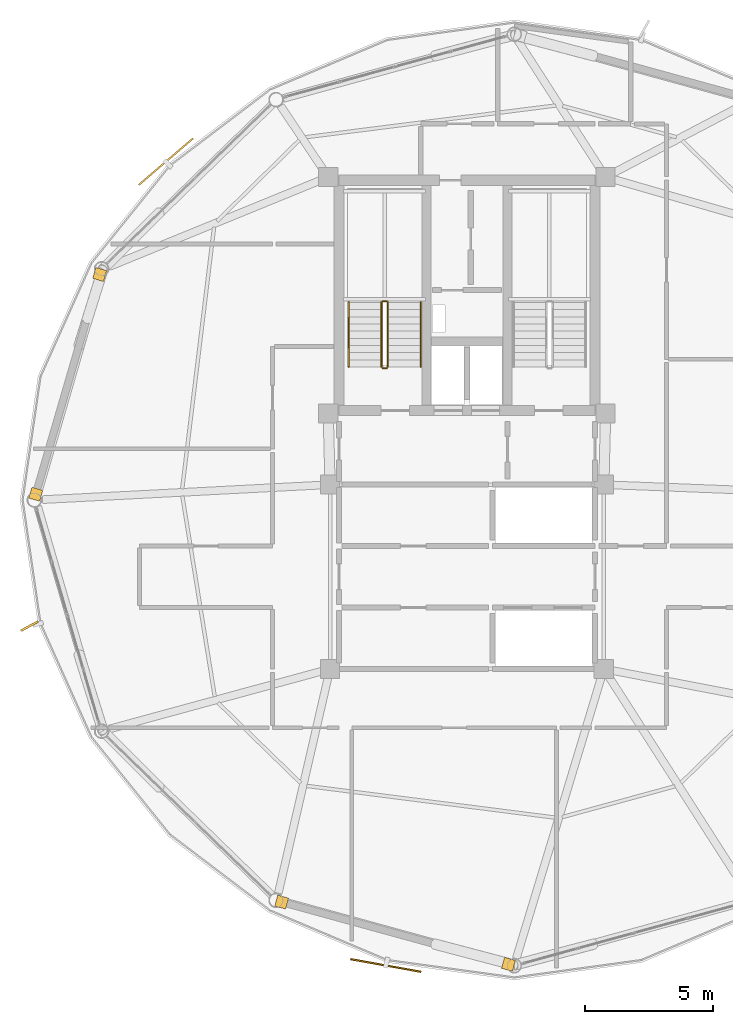
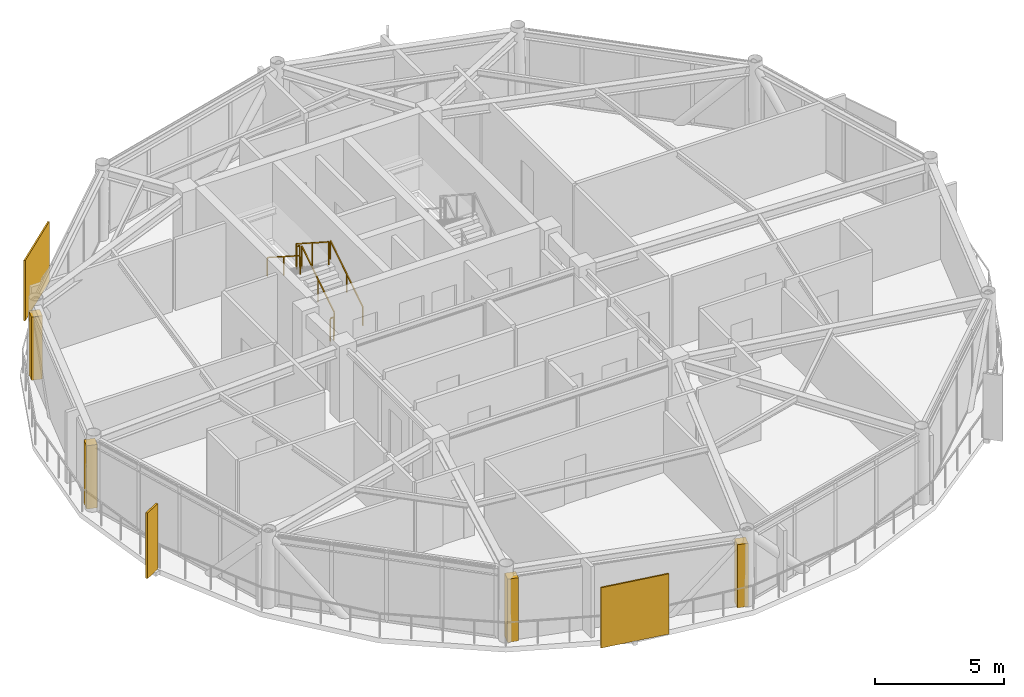
# One storey, part 25 of 27: 6 railings, 4 coverings, 3 shading devices.
"""IFC4 building model written with IfcOpenShell, lengths in metres."""

from ifc_helpers import new_model, si_unit, direction, frame, origin, origin_2d, place, context, subcontext, project, spatial, rectangle, extrude, source, transform, mapped, material, layer, layer_set, type_object, type_shapes, element, save


model = new_model("IFC4")

# Units and contexts
model_context = context("Model", 3, precision=1e-05, world=origin(), true_north=direction((0.0, 1.0)))
body_context = subcontext(model_context, "Body", "Model", "MODEL_VIEW")
ifc_project = project(units=[si_unit("LENGTHUNIT", "METRE"), si_unit("AREAUNIT", "SQUARE_METRE"), si_unit("VOLUMEUNIT", "CUBIC_METRE"), si_unit("PLANEANGLEUNIT", "RADIAN"), si_unit("MASSUNIT", "GRAM", prefix="KILO")], contexts=[model_context])

# Site, building, storey
site_placement = place(None, origin())
site = spatial("IfcSite", under=ifc_project, at=site_placement, CompositionType="ELEMENT")
building_placement = place(site_placement, origin())
building = spatial("IfcBuilding", under=site, at=building_placement, Name="Varnakorn Sky Granary", CompositionType="ELEMENT")
storey_placement = place(building_placement, frame((0.0, 0.0, 232.800048828125)))
storey = spatial("IfcBuildingStorey", under=building, at=storey_placement, Name="L59", CompositionType="ELEMENT", Elevation=232.800048828125)

# Railings
ifc_material_1 = material(Name="Brushed Stainless Steel 316", Category="steel")
railing_type_1 = type_object("IfcRailingType", Name="RL-STAIR-1100", PredefinedType="GUARDRAIL", material=ifc_material_1)
railing_1_placement = place(storey_placement, frame((-0.090087890625, 5.199951171875, 0.179931640625)))
element("IfcRailing", 1, at=railing_1_placement, inside=storey, type_object=railing_type_1, Name="L59 ST-1 stair guard 1", PredefinedType="GUARDRAIL", context=body_context, shape_type="SweptSolid", body=[
    extrude(rectangle(XDim=0.048095703125, YDim=0.048095703125, at=origin_2d()), frame((0.0, 0.0, 1.076171875), z_axis=(0.0, 0.841162588446, 0.540782303519), x_axis=(-1.0, 0.0, 0.0)), (0.0, 0.0, 1.0), 2.995849609375),
    extrude(rectangle(XDim=0.0419921875, YDim=0.0419921875, at=origin_2d()), origin(), (0.0, 0.0, 1.0), 1.048095703125),
    extrude(rectangle(XDim=0.0419921875, YDim=0.0419921875, at=origin_2d()), frame((0.0, 1.260009765625, 0.81005859375)), (0.0, 0.0, 1.0), 1.048095703125),
    extrude(rectangle(XDim=0.0419921875, YDim=0.0419921875, at=origin_2d()), frame((0.0, 2.52001953125, 1.6201171875)), (0.0, 0.0, 1.0), 1.048095703125),
])
railing_2_placement = place(storey_placement, frame((-0.139892578125, 7.77001953125, 1.800048828125)))
element("IfcRailing", 2, at=railing_2_placement, inside=storey, type_object=railing_type_1, Name="L59 ST-1 stair guard 2", PredefinedType="GUARDRAIL", context=body_context, shape_type="SweptSolid", body=[
    extrude(rectangle(XDim=0.048095703125, YDim=0.048095703125, at=origin_2d()), frame((0.0, 0.0, 1.076171875), z_axis=(-1.0, 0.0, 0.0), x_axis=(0.0, -1.0, 0.0)), (0.0, 0.0, 1.0), 0.150146484375),
    extrude(rectangle(XDim=0.0419921875, YDim=0.0419921875, at=origin_2d()), origin(), (0.0, 0.0, 1.0), 1.048095703125),
    extrude(rectangle(XDim=0.0419921875, YDim=0.0419921875, at=origin_2d()), frame((-0.150146484375, 0.0, 0.0)), (0.0, 0.0, 1.0), 1.048095703125),
])
railing_3_placement = place(storey_placement, frame((-0.340087890625, 7.719970703125, 1.97998046875)))
element("IfcRailing", 3, at=railing_3_placement, inside=storey, type_object=railing_type_1, Name="L59 ST-1 stair guard 3", PredefinedType="GUARDRAIL", context=body_context, shape_type="SweptSolid", body=[
    extrude(rectangle(XDim=0.048095703125, YDim=0.048095703125, at=origin_2d()), frame((0.0, 0.0, 1.076171875), z_axis=(0.0, -0.841199657755, 0.540724639528), x_axis=(1.0, 0.0, 0.0)), (0.0, 0.0, 1.0), 2.995849609375),
    extrude(rectangle(XDim=0.0419921875, YDim=0.0419921875, at=origin_2d()), origin(), (0.0, 0.0, 1.0), 1.048095703125),
    extrude(rectangle(XDim=0.0419921875, YDim=0.0419921875, at=origin_2d()), frame((0.0, -1.260009765625, 0.81005859375)), (0.0, 0.0, 1.0), 1.048095703125),
    extrude(rectangle(XDim=0.0419921875, YDim=0.0419921875, at=origin_2d()), frame((0.0, -2.52001953125, 1.619873046875)), (0.0, 0.0, 1.0), 1.048095703125),
])
railing_4_placement = place(storey_placement, frame((-0.139892578125, 5.14990234375, 0.0)))
element("IfcRailing", 4, at=railing_4_placement, inside=storey, type_object=railing_type_1, Name="L59 ST-1 stair guard 4", PredefinedType="GUARDRAIL", context=body_context, shape_type="SweptSolid", body=[
    extrude(rectangle(XDim=0.048095703125, YDim=0.048095703125, at=origin_2d()), frame((0.0, 0.0, 1.076171875), z_axis=(-1.0, 0.0, 0.0), x_axis=(0.0, -1.0, 0.0)), (0.0, 0.0, 1.0), 0.150146484375),
    extrude(rectangle(XDim=0.0419921875, YDim=0.0419921875, at=origin_2d()), origin(), (0.0, 0.0, 1.0), 1.048095703125),
    extrude(rectangle(XDim=0.0419921875, YDim=0.0419921875, at=origin_2d()), frame((-0.150146484375, 0.0, 0.0)), (0.0, 0.0, 1.0), 1.048095703125),
])
railing_type_2 = type_object("IfcRailingType", Name="RL-STAIR-920", PredefinedType="HANDRAIL", material=ifc_material_1)
railing_5_placement = place(storey_placement, frame((1.18994140625, 5.199951171875, 0.179931640625)))
element("IfcRailing", 5, at=railing_5_placement, inside=storey, type_object=railing_type_2, Name="L59 ST-1 stair handrail 1", PredefinedType="HANDRAIL", context=body_context, shape_type="SweptSolid", body=[
    extrude(rectangle(XDim=0.048095703125, YDim=0.048095703125, at=origin_2d()), frame((0.0, 0.0, 0.8759765625), z_axis=(0.0, 0.841162588446, 0.540782303519), x_axis=(-1.0, 0.0, 0.0)), (0.0, 0.0, 1.0), 2.995849609375),
    extrude(rectangle(XDim=0.0419921875, YDim=0.0419921875, at=origin_2d()), origin(), (0.0, 0.0, 1.0), 0.847900390625),
    extrude(rectangle(XDim=0.0419921875, YDim=0.0419921875, at=origin_2d()), frame((0.0, 1.260009765625, 0.81005859375)), (0.0, 0.0, 1.0), 0.847900390625),
    extrude(rectangle(XDim=0.0419921875, YDim=0.0419921875, at=origin_2d()), frame((0.0, 2.52001953125, 1.6201171875)), (0.0, 0.0, 1.0), 0.847900390625),
])
railing_6_placement = place(storey_placement, frame((-1.6201171875, 7.719970703125, 1.97998046875)))
element("IfcRailing", 6, at=railing_6_placement, inside=storey, type_object=railing_type_2, Name="L59 ST-1 stair handrail 2", PredefinedType="HANDRAIL", context=body_context, shape_type="SweptSolid", body=[
    extrude(rectangle(XDim=0.048095703125, YDim=0.048095703125, at=origin_2d()), frame((0.0, 0.0, 0.8759765625), z_axis=(0.0, -0.841199657755, 0.540724639528), x_axis=(1.0, 0.0, 0.0)), (0.0, 0.0, 1.0), 2.995849609375),
    extrude(rectangle(XDim=0.0419921875, YDim=0.0419921875, at=origin_2d()), origin(), (0.0, 0.0, 1.0), 0.847900390625),
    extrude(rectangle(XDim=0.0419921875, YDim=0.0419921875, at=origin_2d()), frame((0.0, -1.260009765625, 0.81005859375)), (0.0, 0.0, 1.0), 0.847900390625),
    extrude(rectangle(XDim=0.0419921875, YDim=0.0419921875, at=origin_2d()), frame((0.0, -2.52001953125, 1.619873046875)), (0.0, 0.0, 1.0), 0.847900390625),
])

# Coverings
ifc_material_2 = material(Name="Anodised Bronze Aluminium Alloy 6063-T6", Category="aluminium")
ifc_layer = layer(ifc_material_2, 0.050048828125, Name="Anodised Bronze Aluminium Alloy 6063-T6")
ifc_layer_set = layer_set([ifc_layer], Name="Anodised Bronze Aluminium Alloy 6063-T6")
covering_type = type_object("IfcCoveringType", Name="CV-CLAD-50", PredefinedType="CLADDING", material=ifc_layer_set)
shared_shape_1 = source(origin(), body_context, "Body", "SweptSolid", [
    extrude(rectangle(XDim=0.43994140625, YDim=0.43994140625, at=origin_2d()), origin(), (0.0, 0.0, 1.0), 2.989990234375),
])
type_shapes(covering_type, [shared_shape_1])
for number, where, z_axis, x_axis, name in (
    (7, (-13.850341796875, 0.22509765625, -0.02001953125), (0.0, 0.0, 1.0), (0.279493876371, 0.960147474647, 0.0), "Bronze Corner Pilaster Closure L59-P06-A"),
    (8, (-11.3505859375, 8.811279296875, -0.02001953125), (0.0, 0.0, 1.0), (0.279493876371, 0.960147474647, 0.0), "Bronze Corner Pilaster Closure L59-P06-B"),
    (9, (4.623779296875, -18.14599609375, -0.02001953125), (0.0, 0.0, 1.0), (-0.964326778534, 0.264714684522, 0.0), "Bronze Corner Pilaster Closure L59-P09-A"),
    (10, (-4.239501953125, -15.7138671875, -0.02001953125), (0.0, 0.0, 1.0), (-0.964326778534, 0.264714684522, 0.0), "Bronze Corner Pilaster Closure L59-P09-B"),
):
    element("IfcCovering", number, at=place(storey_placement, frame(where, z_axis=z_axis, x_axis=x_axis)), inside=storey, type_object=covering_type, Name=name, PredefinedType="CLADDING", context=body_context, shape_type="MappedRepresentation", body=[
        mapped(shared_shape_1, transform((0.0, 0.0, 0.0), x_axis=(1.0, 0.0, 0.0), y_axis=(0.0, 1.0, 0.0), z_axis=(0.0, 0.0, 1.0), scale=1.0)),
    ])

# Shading devices
shading_device_type_1 = type_object("IfcShadingDeviceType", Name="SH-FIN-03", PredefinedType="USERDEFINED", material=ifc_material_2)
shared_shape_2 = source(origin(), body_context, "Body", "SweptSolid", [
    extrude(rectangle(XDim=0.0849609375, YDim=0.760009765625, at=origin_2d()), origin(), (0.0, 0.0, 1.0), 3.10009765625),
])
type_shapes(shading_device_type_1, [shared_shape_2])
shading_device_placement = place(storey_placement, frame((-14.093505859375, -4.927978515625, -0.0400390625), z_axis=(0.0, 0.0, 1.0), x_axis=(0.477979354441, -0.878371070065, 0.0)))
element("IfcShadingDevice", 11, at=shading_device_placement, inside=storey, type_object=shading_device_type_1, Name="Bronze Solar-Tracking Vertical Blade FIN L59-07", ObjectType="FIN", PredefinedType="USERDEFINED", context=body_context, shape_type="MappedRepresentation", body=[
    mapped(shared_shape_2, transform((0.0, 0.0, 0.0), x_axis=(1.0, 0.0, 0.0), y_axis=(0.0, 1.0, 0.0), z_axis=(0.0, 0.0, 1.0), scale=1.0)),
])
shading_device_type_2 = type_object("IfcShadingDeviceType", Name="SH-SCR-03", PredefinedType="USERDEFINED", material=ifc_material_2)
shared_shape_3 = source(origin(), body_context, "Body", "SweptSolid", [
    extrude(rectangle(XDim=2.800048828125, YDim=0.06494140625, at=origin_2d()), origin(), (0.0, 0.0, 1.0), 2.85009765625),
])
type_shapes(shading_device_type_2, [shared_shape_3])
for number, where, z_axis, x_axis, name in (
    (12, (-8.7685546875, 13.218994140625, -0.0400390625), (0.0, 0.0, 1.0), (-0.759237816555, -0.650813289595, 0.0), "Perforated Bronze Solar Screen Panel SCREEN L59-05"),
    (13, (-0.17041015625, -18.19091796875, -0.0400390625), (0.0, 0.0, 1.0), (0.984260918915, -0.176721372496, 0.0), "Perforated Bronze Solar Screen Panel SCREEN L59-09"),
):
    element("IfcShadingDevice", number, at=place(storey_placement, frame(where, z_axis=z_axis, x_axis=x_axis)), inside=storey, type_object=shading_device_type_2, Name=name, ObjectType="SCREEN", PredefinedType="USERDEFINED", context=body_context, shape_type="MappedRepresentation", body=[
        mapped(shared_shape_3, transform((0.0, 0.0, 0.0), x_axis=(1.0, 0.0, 0.0), y_axis=(0.0, 1.0, 0.0), z_axis=(0.0, 0.0, 1.0), scale=1.0)),
    ])

save(model, "model.ifc")
